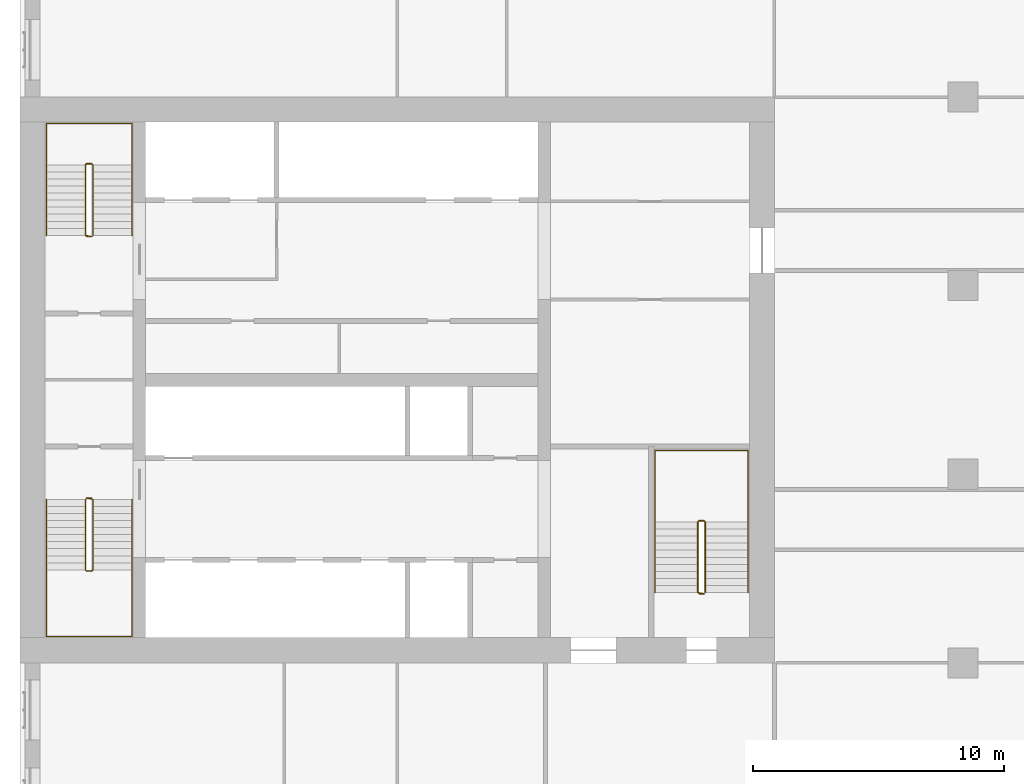
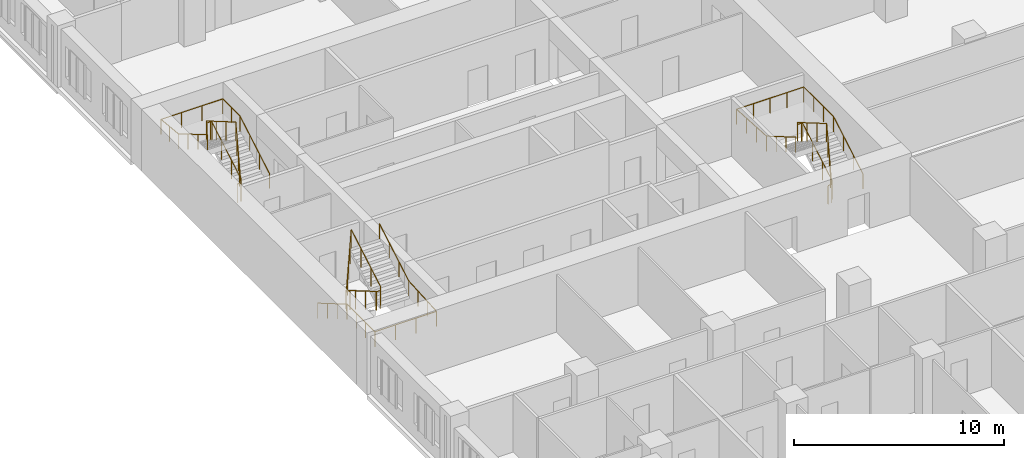
# One storey, part 14 of 14: 6 railings.
"""IFC4 building model written with IfcOpenShell, lengths in metres."""

from ifc_helpers import new_model, si_unit, direction, frame, origin, origin_2d, place, context, subcontext, project, spatial, circle, extrude, material, type_object, element, save


model = new_model("IFC4")

# Units and contexts
model_context = context("Model", 3, precision=1e-05, world=origin(), true_north=direction((0.0, 1.0)))
body_context = subcontext(model_context, "Body", "Model", "MODEL_VIEW")
ifc_project = project(units=[si_unit("LENGTHUNIT", "METRE"), si_unit("AREAUNIT", "SQUARE_METRE"), si_unit("VOLUMEUNIT", "CUBIC_METRE"), si_unit("PLANEANGLEUNIT", "RADIAN"), si_unit("MASSUNIT", "GRAM", prefix="KILO")], contexts=[model_context])

# Site, building, storey
site_placement = place(None, origin())
site = spatial("IfcSite", under=ifc_project, at=site_placement, CompositionType="ELEMENT")
building_placement = place(site_placement, origin())
building = spatial("IfcBuilding", under=site, at=building_placement, Name="Tamorin Gate", CompositionType="ELEMENT")
storey_placement = place(building_placement, frame((0.0, 0.0, 55.60009765625)))
storey = spatial("IfcBuildingStorey", under=building, at=storey_placement, Name="L12", CompositionType="ELEMENT", Elevation=55.60009765625)

# Railings
ifc_material_1 = material(Name="Painted steel balustrade", Category="steel")
railing_type_1 = type_object("IfcRailingType", Name="Stair guard 1100", PredefinedType="GUARDRAIL", material=ifc_material_1)
railing_1_placement = place(storey_placement, frame((32.60009765625, 66.5, 0.16357421875)))
element("IfcRailing", 1, at=railing_1_placement, inside=storey, type_object=railing_type_1, Name="L12 ST1 stair guard 1", PredefinedType="GUARDRAIL", context=body_context, shape_type="SweptSolid", body=[
    extrude(circle(Radius=0.02392578125, at=origin_2d()), frame((0.0, 0.0, 1.076171875), z_axis=(0.0, -0.863393664356, 0.504530851732), x_axis=(1.0, 0.0, 0.0)), (0.0, 0.0, 1.0), 3.2431640625),
    extrude(circle(Radius=0.02392578125, at=origin_2d()), frame((0.0, -2.800048828125, 2.71240234375), z_axis=(0.705375805398, -0.708833529934, 0.0), x_axis=(0.708833529934, 0.705375805398, 0.0)), (0.0, 0.0, 1.0), 0.070556640625),
    extrude(circle(Radius=0.02392578125, at=origin_2d()), frame((0.0498046875, -2.85009765625, 2.71240234375), z_axis=(1.0, 0.0, 0.0), x_axis=(0.0, 1.0, 0.0)), (0.0, 0.0, 1.0), 0.2001953125),
    extrude(circle(Radius=0.02392578125, at=origin_2d()), frame((0.25, -2.85009765625, 2.71240234375), z_axis=(0.279194930351, 0.280563532951, 0.91833234444), x_axis=(-0.708833529934, 0.705375805398, 0.0)), (0.0, 0.0, 1.0), 0.178466796875),
    extrude(circle(Radius=0.02392578125, at=origin_2d()), frame((0.2998046875, -2.800048828125, 2.8759765625), z_axis=(0.0, 0.863393664356, 0.504530851732), x_axis=(-1.0, 0.0, 0.0)), (0.0, 0.0, 1.0), 3.2431640625),
    extrude(circle(Radius=0.02392578125, at=origin_2d()), frame((0.2998046875, 0.0, 4.51220703125), z_axis=(-0.069273741535, 0.013868278335, -0.997501288014), x_axis=(-0.196300278283, -0.98054382908, 0.0)), (0.0, 0.0, 1.0), 3.60888671875),
    extrude(circle(Radius=0.02392578125, at=origin_2d()), frame((0.0498046875, 0.050048828125, 0.91259765625), z_axis=(1.0, 0.0, 0.0), x_axis=(0.0, 1.0, 0.0)), (0.0, 0.0, 1.0), 0.2001953125),
    extrude(circle(Radius=0.02099609375, at=origin_2d()), origin(), (0.0, 0.0, 1.0), 1.052001953125),
    extrude(circle(Radius=0.02099609375, at=origin_2d()), frame((0.0, -0.933349609375, 0.54541015625)), (0.0, 0.0, 1.0), 1.052001953125),
    extrude(circle(Radius=0.02099609375, at=origin_2d()), frame((0.0, -1.86669921875, 1.0908203125)), (0.0, 0.0, 1.0), 1.052001953125),
    extrude(circle(Radius=0.02099609375, at=origin_2d()), frame((0.0, -2.800048828125, 1.63623046875)), (0.0, 0.0, 1.0), 1.052001953125),
    extrude(circle(Radius=0.02099609375, at=origin_2d()), frame((0.0498046875, -2.85009765625, 1.63623046875)), (0.0, 0.0, 1.0), 1.052001953125),
    extrude(circle(Radius=0.02099609375, at=origin_2d()), frame((0.25, -2.85009765625, 1.63623046875)), (0.0, 0.0, 1.0), 1.052001953125),
    extrude(circle(Radius=0.02099609375, at=origin_2d()), frame((0.2998046875, -2.800048828125, 1.800048828125)), (0.0, 0.0, 1.0), 1.052001953125),
    extrude(circle(Radius=0.02099609375, at=origin_2d()), frame((0.2998046875, -1.86669921875, 2.345458984375)), (0.0, 0.0, 1.0), 1.052001953125),
    extrude(circle(Radius=0.02099609375, at=origin_2d()), frame((0.2998046875, -0.933349609375, 2.890869140625)), (0.0, 0.0, 1.0), 1.052001953125),
    extrude(circle(Radius=0.02099609375, at=origin_2d()), frame((0.2998046875, 0.0, 3.436279296875)), (0.0, 0.0, 1.0), 1.052001953125),
    extrude(circle(Radius=0.02099609375, at=origin_2d()), frame((0.2373046875, 0.012451171875, 2.536376953125)), (0.0, 0.0, 1.0), 1.052001953125),
    extrude(circle(Radius=0.02099609375, at=origin_2d()), frame((0.1748046875, 0.02490234375, 1.63623046875)), (0.0, 0.0, 1.0), 1.052001953125),
    extrude(circle(Radius=0.02099609375, at=origin_2d()), frame((0.1123046875, 0.03759765625, 0.736328125)), (0.0, 0.0, 1.0), 1.052001953125),
    extrude(circle(Radius=0.02099609375, at=origin_2d()), frame((0.0498046875, 0.050048828125, -0.16357421875)), (0.0, 0.0, 1.0), 1.052001953125),
    extrude(circle(Radius=0.02099609375, at=origin_2d()), frame((0.25, 0.050048828125, -0.16357421875)), (0.0, 0.0, 1.0), 1.052001953125),
])
railing_2_placement = place(storey_placement, frame((32.89990234375, 77.0, 0.16357421875)))
element("IfcRailing", 2, at=railing_2_placement, inside=storey, type_object=railing_type_1, Name="L12 ST2 stair guard 1", PredefinedType="GUARDRAIL", context=body_context, shape_type="SweptSolid", body=[
    extrude(circle(Radius=0.02392578125, at=origin_2d()), frame((0.0, 0.0, 1.076171875), z_axis=(0.0, 0.863393664356, 0.504530851732), x_axis=(-1.0, 0.0, 0.0)), (0.0, 0.0, 1.0), 3.2431640625),
    extrude(circle(Radius=0.02392578125, at=origin_2d()), frame((0.0, 2.800048828125, 2.71240234375), z_axis=(-0.705375805398, 0.708833529934, 0.0), x_axis=(-0.708833529934, -0.705375805398, 0.0)), (0.0, 0.0, 1.0), 0.070556640625),
    extrude(circle(Radius=0.02392578125, at=origin_2d()), frame((-0.0498046875, 2.85009765625, 2.71240234375), z_axis=(-1.0, 0.0, 0.0), x_axis=(0.0, -1.0, 0.0)), (0.0, 0.0, 1.0), 0.2001953125),
    extrude(circle(Radius=0.02392578125, at=origin_2d()), frame((-0.25, 2.85009765625, 2.71240234375), z_axis=(-0.279194930351, -0.280563532951, 0.91833234444), x_axis=(0.708833529934, -0.705375805398, 0.0)), (0.0, 0.0, 1.0), 0.178466796875),
    extrude(circle(Radius=0.02392578125, at=origin_2d()), frame((-0.2998046875, 2.800048828125, 2.8759765625), z_axis=(0.0, -0.863393664356, 0.504530851732), x_axis=(1.0, 0.0, 0.0)), (0.0, 0.0, 1.0), 3.2431640625),
    extrude(circle(Radius=0.02392578125, at=origin_2d()), frame((-0.2998046875, 0.0, 4.51220703125), z_axis=(0.069273741535, -0.013868278335, -0.997501288014), x_axis=(0.196300278283, 0.98054382908, 0.0)), (0.0, 0.0, 1.0), 3.60888671875),
    extrude(circle(Radius=0.02392578125, at=origin_2d()), frame((-0.0498046875, -0.050048828125, 0.91259765625), z_axis=(-1.0, 0.0, 0.0), x_axis=(0.0, -1.0, 0.0)), (0.0, 0.0, 1.0), 0.2001953125),
    extrude(circle(Radius=0.02099609375, at=origin_2d()), origin(), (0.0, 0.0, 1.0), 1.052001953125),
    extrude(circle(Radius=0.02099609375, at=origin_2d()), frame((0.0, 0.933349609375, 0.54541015625)), (0.0, 0.0, 1.0), 1.052001953125),
    extrude(circle(Radius=0.02099609375, at=origin_2d()), frame((0.0, 1.86669921875, 1.0908203125)), (0.0, 0.0, 1.0), 1.052001953125),
    extrude(circle(Radius=0.02099609375, at=origin_2d()), frame((0.0, 2.800048828125, 1.63623046875)), (0.0, 0.0, 1.0), 1.052001953125),
    extrude(circle(Radius=0.02099609375, at=origin_2d()), frame((-0.0498046875, 2.85009765625, 1.63623046875)), (0.0, 0.0, 1.0), 1.052001953125),
    extrude(circle(Radius=0.02099609375, at=origin_2d()), frame((-0.25, 2.85009765625, 1.63623046875)), (0.0, 0.0, 1.0), 1.052001953125),
    extrude(circle(Radius=0.02099609375, at=origin_2d()), frame((-0.2998046875, 2.800048828125, 1.800048828125)), (0.0, 0.0, 1.0), 1.052001953125),
    extrude(circle(Radius=0.02099609375, at=origin_2d()), frame((-0.2998046875, 1.86669921875, 2.345458984375)), (0.0, 0.0, 1.0), 1.052001953125),
    extrude(circle(Radius=0.02099609375, at=origin_2d()), frame((-0.2998046875, 0.933349609375, 2.890869140625)), (0.0, 0.0, 1.0), 1.052001953125),
    extrude(circle(Radius=0.02099609375, at=origin_2d()), frame((-0.2998046875, 0.0, 3.436279296875)), (0.0, 0.0, 1.0), 1.052001953125),
    extrude(circle(Radius=0.02099609375, at=origin_2d()), frame((-0.2373046875, -0.012451171875, 2.536376953125)), (0.0, 0.0, 1.0), 1.052001953125),
    extrude(circle(Radius=0.02099609375, at=origin_2d()), frame((-0.1748046875, -0.02490234375, 1.63623046875)), (0.0, 0.0, 1.0), 1.052001953125),
    extrude(circle(Radius=0.02099609375, at=origin_2d()), frame((-0.1123046875, -0.03759765625, 0.736328125)), (0.0, 0.0, 1.0), 1.052001953125),
    extrude(circle(Radius=0.02099609375, at=origin_2d()), frame((-0.0498046875, -0.050048828125, -0.16357421875)), (0.0, 0.0, 1.0), 1.052001953125),
    extrude(circle(Radius=0.02099609375, at=origin_2d()), frame((-0.25, -0.050048828125, -0.16357421875)), (0.0, 0.0, 1.0), 1.052001953125),
])
railing_3_placement = place(storey_placement, frame((57.25, 62.800048828125, 0.16357421875)))
element("IfcRailing", 3, at=railing_3_placement, inside=storey, type_object=railing_type_1, Name="L12 ST3 stair guard 1", PredefinedType="GUARDRAIL", context=body_context, shape_type="SweptSolid", body=[
    extrude(circle(Radius=0.02392578125, at=origin_2d()), frame((0.0, 0.0, 1.076171875), z_axis=(0.0, 0.863393664356, 0.504530851732), x_axis=(-1.0, 0.0, 0.0)), (0.0, 0.0, 1.0), 3.2431640625),
    extrude(circle(Radius=0.02392578125, at=origin_2d()), frame((0.0, 2.800048828125, 2.71240234375), z_axis=(-0.708833529934, 0.705375805398, 0.0), x_axis=(-0.705375805398, -0.708833529934, 0.0)), (0.0, 0.0, 1.0), 0.070556640625),
    extrude(circle(Radius=0.02392578125, at=origin_2d()), frame((-0.050048828125, 2.849853515625, 2.71240234375), z_axis=(-1.0, 0.0, 0.0), x_axis=(0.0, -1.0, 0.0)), (0.0, 0.0, 1.0), 0.199951171875),
    extrude(circle(Radius=0.02392578125, at=origin_2d()), frame((-0.25, 2.849853515625, 2.71240234375), z_axis=(-0.280563532951, -0.279194930351, 0.91833234444), x_axis=(0.705375805398, -0.708833529934, 0.0)), (0.0, 0.0, 1.0), 0.178466796875),
    extrude(circle(Radius=0.02392578125, at=origin_2d()), frame((-0.300048828125, 2.800048828125, 2.8759765625), z_axis=(0.0, -0.863393664356, 0.504530851732), x_axis=(1.0, 0.0, 0.0)), (0.0, 0.0, 1.0), 3.2431640625),
    extrude(circle(Radius=0.02392578125, at=origin_2d()), frame((-0.300048828125, 0.0, 4.51220703125), z_axis=(0.069273741535, -0.013868278335, -0.997501288014), x_axis=(0.196300278283, 0.98054382908, 0.0)), (0.0, 0.0, 1.0), 3.60888671875),
    extrude(circle(Radius=0.02392578125, at=origin_2d()), frame((-0.050048828125, -0.050048828125, 0.91259765625), z_axis=(-1.0, 0.0, 0.0), x_axis=(0.0, -1.0, 0.0)), (0.0, 0.0, 1.0), 0.199951171875),
    extrude(circle(Radius=0.02099609375, at=origin_2d()), origin(), (0.0, 0.0, 1.0), 1.052001953125),
    extrude(circle(Radius=0.02099609375, at=origin_2d()), frame((0.0, 0.933349609375, 0.54541015625)), (0.0, 0.0, 1.0), 1.052001953125),
    extrude(circle(Radius=0.02099609375, at=origin_2d()), frame((0.0, 1.86669921875, 1.0908203125)), (0.0, 0.0, 1.0), 1.052001953125),
    extrude(circle(Radius=0.02099609375, at=origin_2d()), frame((0.0, 2.800048828125, 1.63623046875)), (0.0, 0.0, 1.0), 1.052001953125),
    extrude(circle(Radius=0.02099609375, at=origin_2d()), frame((-0.050048828125, 2.849853515625, 1.63623046875)), (0.0, 0.0, 1.0), 1.052001953125),
    extrude(circle(Radius=0.02099609375, at=origin_2d()), frame((-0.25, 2.849853515625, 1.63623046875)), (0.0, 0.0, 1.0), 1.052001953125),
    extrude(circle(Radius=0.02099609375, at=origin_2d()), frame((-0.300048828125, 2.800048828125, 1.800048828125)), (0.0, 0.0, 1.0), 1.052001953125),
    extrude(circle(Radius=0.02099609375, at=origin_2d()), frame((-0.300048828125, 1.86669921875, 2.345458984375)), (0.0, 0.0, 1.0), 1.052001953125),
    extrude(circle(Radius=0.02099609375, at=origin_2d()), frame((-0.300048828125, 0.933349609375, 2.890869140625)), (0.0, 0.0, 1.0), 1.052001953125),
    extrude(circle(Radius=0.02099609375, at=origin_2d()), frame((-0.300048828125, 0.0, 3.436279296875)), (0.0, 0.0, 1.0), 1.052001953125),
    extrude(circle(Radius=0.02099609375, at=origin_2d()), frame((-0.237548828125, -0.012451171875, 2.536376953125)), (0.0, 0.0, 1.0), 1.052001953125),
    extrude(circle(Radius=0.02099609375, at=origin_2d()), frame((-0.175048828125, -0.02490234375, 1.63623046875)), (0.0, 0.0, 1.0), 1.052001953125),
    extrude(circle(Radius=0.02099609375, at=origin_2d()), frame((-0.112548828125, -0.03759765625, 0.736328125)), (0.0, 0.0, 1.0), 1.052001953125),
    extrude(circle(Radius=0.02099609375, at=origin_2d()), frame((-0.050048828125, -0.050048828125, -0.16357421875)), (0.0, 0.0, 1.0), 1.052001953125),
    extrude(circle(Radius=0.02099609375, at=origin_2d()), frame((-0.25, -0.050048828125, -0.16357421875)), (0.0, 0.0, 1.0), 1.052001953125),
])
ifc_material_2 = material(Name="Painted steel handrail", Category="steel")
railing_type_2 = type_object("IfcRailingType", Name="Stair handrail 900", PredefinedType="HANDRAIL", material=ifc_material_2)
railing_4_placement = place(storey_placement, frame((31.050048828125, 66.5, 0.16357421875)))
element("IfcRailing", 4, at=railing_4_placement, inside=storey, type_object=railing_type_2, Name="L12 ST1 stair handrail 1", PredefinedType="HANDRAIL", context=body_context, shape_type="SweptSolid", body=[
    extrude(circle(Radius=0.02392578125, at=origin_2d()), frame((0.0, 0.0, 0.8759765625), z_axis=(0.0, -0.863393664356, 0.504530851732), x_axis=(1.0, 0.0, 0.0)), (0.0, 0.0, 1.0), 3.2431640625),
    extrude(circle(Radius=0.02392578125, at=origin_2d()), frame((0.0, -2.800048828125, 2.51220703125), z_axis=(0.0, -1.0, 0.0), x_axis=(1.0, 0.0, 0.0)), (0.0, 0.0, 1.0), 2.64990234375),
    extrude(circle(Radius=0.02392578125, at=origin_2d()), frame((0.0, -5.449951171875, 2.51220703125), z_axis=(1.0, 0.0, 0.0), x_axis=(0.0, 1.0, 0.0)), (0.0, 0.0, 1.0), 3.39990234375),
    extrude(circle(Radius=0.02392578125, at=origin_2d()), frame((3.39990234375, -5.449951171875, 2.51220703125), z_axis=(0.0, 0.998094571079, 0.061702732375), x_axis=(-1.0, 0.0, 0.0)), (0.0, 0.0, 1.0), 2.655029296875),
    extrude(circle(Radius=0.02392578125, at=origin_2d()), frame((3.39990234375, -2.800048828125, 2.67578125), z_axis=(0.0, 0.863393664356, 0.504530851732), x_axis=(-1.0, 0.0, 0.0)), (0.0, 0.0, 1.0), 3.2431640625),
    extrude(circle(Radius=0.02099609375, at=origin_2d()), origin(), (0.0, 0.0, 1.0), 0.851806640625),
    extrude(circle(Radius=0.02099609375, at=origin_2d()), frame((0.0, -0.933349609375, 0.54541015625)), (0.0, 0.0, 1.0), 0.851806640625),
    extrude(circle(Radius=0.02099609375, at=origin_2d()), frame((0.0, -1.86669921875, 1.0908203125)), (0.0, 0.0, 1.0), 0.851806640625),
    extrude(circle(Radius=0.02099609375, at=origin_2d()), frame((0.0, -2.800048828125, 1.63623046875)), (0.0, 0.0, 1.0), 0.851806640625),
    extrude(circle(Radius=0.02099609375, at=origin_2d()), frame((0.0, -3.683349609375, 1.63623046875)), (0.0, 0.0, 1.0), 0.851806640625),
    extrude(circle(Radius=0.02099609375, at=origin_2d()), frame((0.0, -4.566650390625, 1.63623046875)), (0.0, 0.0, 1.0), 0.851806640625),
    extrude(circle(Radius=0.02099609375, at=origin_2d()), frame((0.0, -5.449951171875, 1.63623046875)), (0.0, 0.0, 1.0), 0.851806640625),
    extrude(circle(Radius=0.02099609375, at=origin_2d()), frame((1.13330078125, -5.449951171875, 1.63623046875)), (0.0, 0.0, 1.0), 0.851806640625),
    extrude(circle(Radius=0.02099609375, at=origin_2d()), frame((2.2666015625, -5.449951171875, 1.63623046875)), (0.0, 0.0, 1.0), 0.851806640625),
    extrude(circle(Radius=0.02099609375, at=origin_2d()), frame((3.39990234375, -5.449951171875, 1.63623046875)), (0.0, 0.0, 1.0), 0.851806640625),
    extrude(circle(Radius=0.02099609375, at=origin_2d()), frame((3.39990234375, -4.566650390625, 1.69091796875)), (0.0, 0.0, 1.0), 0.851806640625),
    extrude(circle(Radius=0.02099609375, at=origin_2d()), frame((3.39990234375, -3.683349609375, 1.745361328125)), (0.0, 0.0, 1.0), 0.851806640625),
    extrude(circle(Radius=0.02099609375, at=origin_2d()), frame((3.39990234375, -2.800048828125, 1.800048828125)), (0.0, 0.0, 1.0), 0.851806640625),
    extrude(circle(Radius=0.02099609375, at=origin_2d()), frame((3.39990234375, -1.86669921875, 2.345458984375)), (0.0, 0.0, 1.0), 0.851806640625),
    extrude(circle(Radius=0.02099609375, at=origin_2d()), frame((3.39990234375, -0.933349609375, 2.890869140625)), (0.0, 0.0, 1.0), 0.851806640625),
    extrude(circle(Radius=0.02099609375, at=origin_2d()), frame((3.39990234375, 0.0, 3.436279296875)), (0.0, 0.0, 1.0), 0.851806640625),
])
railing_5_placement = place(storey_placement, frame((34.449951171875, 77.0, 0.16357421875)))
element("IfcRailing", 5, at=railing_5_placement, inside=storey, type_object=railing_type_2, Name="L12 ST2 stair handrail 1", PredefinedType="HANDRAIL", context=body_context, shape_type="SweptSolid", body=[
    extrude(circle(Radius=0.02392578125, at=origin_2d()), frame((0.0, 0.0, 0.8759765625), z_axis=(0.0, 0.863393664356, 0.504530851732), x_axis=(-1.0, 0.0, 0.0)), (0.0, 0.0, 1.0), 3.2431640625),
    extrude(circle(Radius=0.02392578125, at=origin_2d()), frame((0.0, 2.800048828125, 2.51220703125), z_axis=(0.0, 1.0, 0.0), x_axis=(-1.0, 0.0, 0.0)), (0.0, 0.0, 1.0), 1.64990234375),
    extrude(circle(Radius=0.02392578125, at=origin_2d()), frame((0.0, 4.449951171875, 2.51220703125), z_axis=(-1.0, 0.0, 0.0), x_axis=(0.0, -1.0, 0.0)), (0.0, 0.0, 1.0), 3.39990234375),
    extrude(circle(Radius=0.02392578125, at=origin_2d()), frame((-3.39990234375, 4.449951171875, 2.51220703125), z_axis=(0.0, -0.995106923726, 0.098803898464), x_axis=(1.0, 0.0, 0.0)), (0.0, 0.0, 1.0), 1.657958984375),
    extrude(circle(Radius=0.02392578125, at=origin_2d()), frame((-3.39990234375, 2.800048828125, 2.67578125), z_axis=(0.0, -0.863393664356, 0.504530851732), x_axis=(1.0, 0.0, 0.0)), (0.0, 0.0, 1.0), 3.2431640625),
    extrude(circle(Radius=0.02099609375, at=origin_2d()), origin(), (0.0, 0.0, 1.0), 0.851806640625),
    extrude(circle(Radius=0.02099609375, at=origin_2d()), frame((0.0, 0.933349609375, 0.54541015625)), (0.0, 0.0, 1.0), 0.851806640625),
    extrude(circle(Radius=0.02099609375, at=origin_2d()), frame((0.0, 1.86669921875, 1.0908203125)), (0.0, 0.0, 1.0), 0.851806640625),
    extrude(circle(Radius=0.02099609375, at=origin_2d()), frame((0.0, 2.800048828125, 1.63623046875)), (0.0, 0.0, 1.0), 0.851806640625),
    extrude(circle(Radius=0.02099609375, at=origin_2d()), frame((0.0, 3.625, 1.63623046875)), (0.0, 0.0, 1.0), 0.851806640625),
    extrude(circle(Radius=0.02099609375, at=origin_2d()), frame((0.0, 4.449951171875, 1.63623046875)), (0.0, 0.0, 1.0), 0.851806640625),
    extrude(circle(Radius=0.02099609375, at=origin_2d()), frame((-1.13330078125, 4.449951171875, 1.63623046875)), (0.0, 0.0, 1.0), 0.851806640625),
    extrude(circle(Radius=0.02099609375, at=origin_2d()), frame((-2.2666015625, 4.449951171875, 1.63623046875)), (0.0, 0.0, 1.0), 0.851806640625),
    extrude(circle(Radius=0.02099609375, at=origin_2d()), frame((-3.39990234375, 4.449951171875, 1.63623046875)), (0.0, 0.0, 1.0), 0.851806640625),
    extrude(circle(Radius=0.02099609375, at=origin_2d()), frame((-3.39990234375, 3.625, 1.71826171875)), (0.0, 0.0, 1.0), 0.851806640625),
    extrude(circle(Radius=0.02099609375, at=origin_2d()), frame((-3.39990234375, 2.800048828125, 1.800048828125)), (0.0, 0.0, 1.0), 0.851806640625),
    extrude(circle(Radius=0.02099609375, at=origin_2d()), frame((-3.39990234375, 1.86669921875, 2.345458984375)), (0.0, 0.0, 1.0), 0.851806640625),
    extrude(circle(Radius=0.02099609375, at=origin_2d()), frame((-3.39990234375, 0.933349609375, 2.890869140625)), (0.0, 0.0, 1.0), 0.851806640625),
    extrude(circle(Radius=0.02099609375, at=origin_2d()), frame((-3.39990234375, 0.0, 3.436279296875)), (0.0, 0.0, 1.0), 0.851806640625),
])
railing_6_placement = place(storey_placement, frame((58.949951171875, 62.800048828125, 0.16357421875)))
element("IfcRailing", 6, at=railing_6_placement, inside=storey, type_object=railing_type_2, Name="L12 ST3 stair handrail 1", PredefinedType="HANDRAIL", context=body_context, shape_type="SweptSolid", body=[
    extrude(circle(Radius=0.02392578125, at=origin_2d()), frame((0.0, 0.0, 0.8759765625), z_axis=(0.0, 0.863393664356, 0.504530851732), x_axis=(-1.0, 0.0, 0.0)), (0.0, 0.0, 1.0), 3.2431640625),
    extrude(circle(Radius=0.02392578125, at=origin_2d()), frame((0.0, 2.800048828125, 2.51220703125), z_axis=(0.0, 1.0, 0.0), x_axis=(-1.0, 0.0, 0.0)), (0.0, 0.0, 1.0), 2.849853515625),
    extrude(circle(Radius=0.02392578125, at=origin_2d()), frame((0.0, 5.64990234375, 2.51220703125), z_axis=(-1.0, 0.0, 0.0), x_axis=(0.0, -1.0, 0.0)), (0.0, 0.0, 1.0), 3.699951171875),
    extrude(circle(Radius=0.02392578125, at=origin_2d()), frame((-3.699951171875, 5.64990234375, 2.51220703125), z_axis=(0.0, -0.998351930891, 0.057388344524), x_axis=(1.0, 0.0, 0.0)), (0.0, 0.0, 1.0), 2.8544921875),
    extrude(circle(Radius=0.02392578125, at=origin_2d()), frame((-3.699951171875, 2.800048828125, 2.67578125), z_axis=(0.0, -0.863393664356, 0.504530851732), x_axis=(1.0, 0.0, 0.0)), (0.0, 0.0, 1.0), 3.2431640625),
    extrude(circle(Radius=0.02099609375, at=origin_2d()), origin(), (0.0, 0.0, 1.0), 0.851806640625),
    extrude(circle(Radius=0.02099609375, at=origin_2d()), frame((0.0, 0.933349609375, 0.54541015625)), (0.0, 0.0, 1.0), 0.851806640625),
    extrude(circle(Radius=0.02099609375, at=origin_2d()), frame((0.0, 1.86669921875, 1.0908203125)), (0.0, 0.0, 1.0), 0.851806640625),
    extrude(circle(Radius=0.02099609375, at=origin_2d()), frame((0.0, 2.800048828125, 1.63623046875)), (0.0, 0.0, 1.0), 0.851806640625),
    extrude(circle(Radius=0.02099609375, at=origin_2d()), frame((0.0, 3.75, 1.63623046875)), (0.0, 0.0, 1.0), 0.851806640625),
    extrude(circle(Radius=0.02099609375, at=origin_2d()), frame((0.0, 4.699951171875, 1.63623046875)), (0.0, 0.0, 1.0), 0.851806640625),
    extrude(circle(Radius=0.02099609375, at=origin_2d()), frame((0.0, 5.64990234375, 1.63623046875)), (0.0, 0.0, 1.0), 0.851806640625),
    extrude(circle(Radius=0.02099609375, at=origin_2d()), frame((-0.925048828125, 5.64990234375, 1.63623046875)), (0.0, 0.0, 1.0), 0.851806640625),
    extrude(circle(Radius=0.02099609375, at=origin_2d()), frame((-1.85009765625, 5.64990234375, 1.63623046875)), (0.0, 0.0, 1.0), 0.851806640625),
    extrude(circle(Radius=0.02099609375, at=origin_2d()), frame((-2.77490234375, 5.64990234375, 1.63623046875)), (0.0, 0.0, 1.0), 0.851806640625),
    extrude(circle(Radius=0.02099609375, at=origin_2d()), frame((-3.699951171875, 5.64990234375, 1.63623046875)), (0.0, 0.0, 1.0), 0.851806640625),
    extrude(circle(Radius=0.02099609375, at=origin_2d()), frame((-3.699951171875, 4.699951171875, 1.69091796875)), (0.0, 0.0, 1.0), 0.851806640625),
    extrude(circle(Radius=0.02099609375, at=origin_2d()), frame((-3.699951171875, 3.75, 1.745361328125)), (0.0, 0.0, 1.0), 0.851806640625),
    extrude(circle(Radius=0.02099609375, at=origin_2d()), frame((-3.699951171875, 2.800048828125, 1.800048828125)), (0.0, 0.0, 1.0), 0.851806640625),
    extrude(circle(Radius=0.02099609375, at=origin_2d()), frame((-3.699951171875, 1.86669921875, 2.345458984375)), (0.0, 0.0, 1.0), 0.851806640625),
    extrude(circle(Radius=0.02099609375, at=origin_2d()), frame((-3.699951171875, 0.933349609375, 2.890869140625)), (0.0, 0.0, 1.0), 0.851806640625),
    extrude(circle(Radius=0.02099609375, at=origin_2d()), frame((-3.699951171875, 0.0, 3.436279296875)), (0.0, 0.0, 1.0), 0.851806640625),
])

save(model, "model.ifc")
